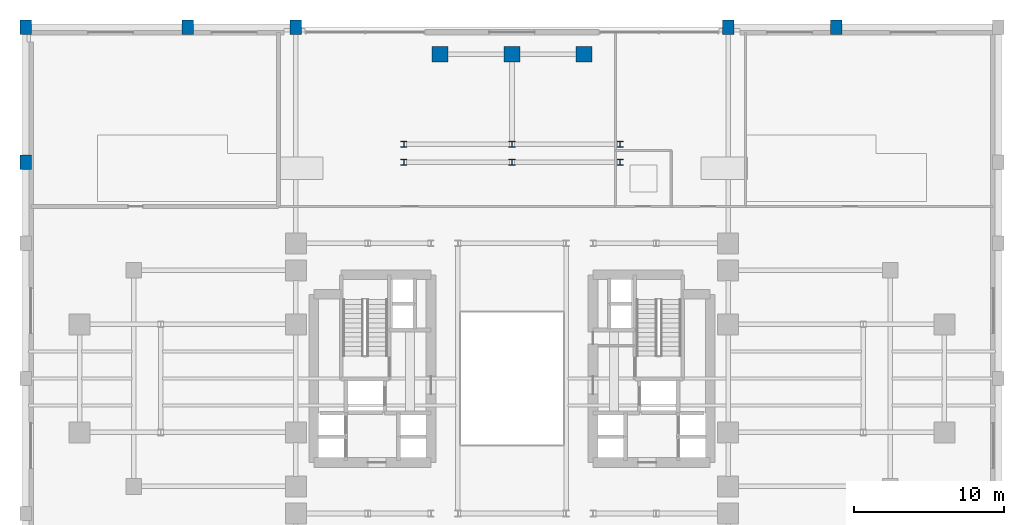
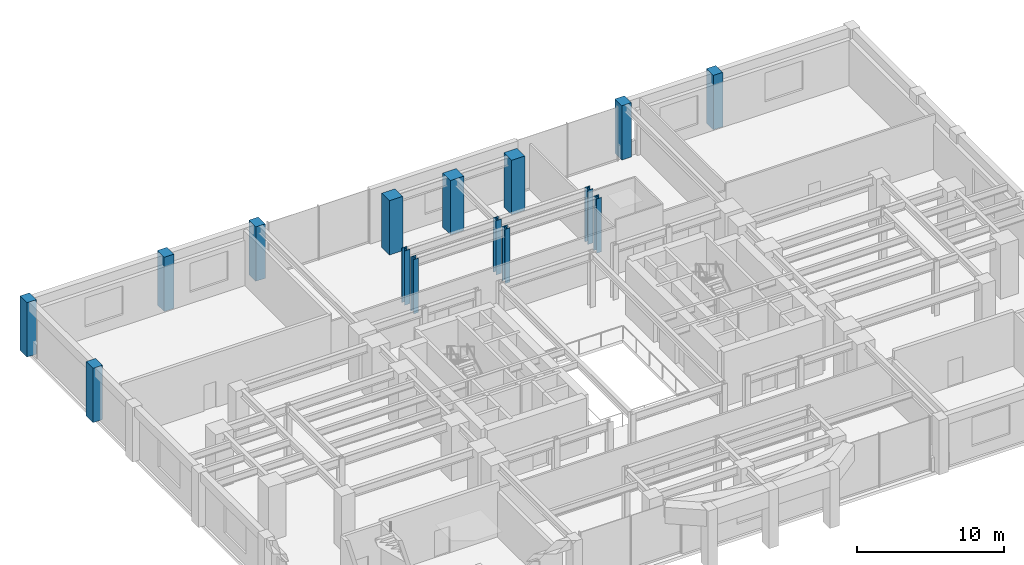
# One storey, part 2 of 14: 15 columns.
"""IFC4 building model written with IfcOpenShell, lengths in metres."""

import ifcopenshell
import ifcopenshell.guid

model = None  # the IFC model being written
_history = None  # IfcOwnerHistory: only IFC2X3 demands one
_inside = {}  # id of a spatial element -> (the spatial element, [elements in it])
_under = {}  # id of a project, library or spatial element -> (it, [spatial elements below it])
_declared = {}  # id of a project -> (the project, [libraries it declares])
_typed = {}  # id of a type object -> (the type object, [elements of that type])
_made_of = {}  # id of a material, layer set ... -> (it, [elements and type objects made of it])


def new_model(schema):
    """Start an empty IFC model of exactly this schema.

    Asked for "IFC4X3", IfcOpenShell would pick the latest addendum, in which some entities
    have other attributes; the version numbers below select the first issue.
    IFC2X3 requires an IfcOwnerHistory on every rooted entity: one is made here for all.
    """
    global model, _history
    if schema == "IFC4X3":
        model = ifcopenshell.file(schema_version=(4, 3, 0, 0))
    else:
        model = ifcopenshell.file(schema=schema)
    _inside.clear()
    _under.clear()
    _declared.clear()
    _typed.clear()
    _made_of.clear()
    _history = None
    if model.schema == "IFC2X3":
        org = make("IfcOrganization", Name="unknown")
        user = make(
            "IfcPersonAndOrganization",
            ThePerson=make("IfcPerson", FamilyName="unknown"),
            TheOrganization=org,
        )
        app = make(
            "IfcApplication",
            ApplicationDeveloper=org,
            Version="unknown",
            ApplicationFullName="unknown",
            ApplicationIdentifier="unknown",
        )
        _history = make(
            "IfcOwnerHistory",
            OwningUser=user,
            OwningApplication=app,
            ChangeAction="ADDED",
            CreationDate=0,
        )
    return model


def make(cls, **values):
    """One entity of the class cls with the attributes given. An attribute that is None is left unset."""
    return model.create_entity(
        cls, **{name: value for name, value in values.items() if value is not None}
    )


def rooted(cls, **values):
    """An entity with a GlobalId (a new one), such as an element, a storey or a relation."""
    return make(cls, GlobalId=ifcopenshell.guid.new(), OwnerHistory=_history, **values)


def si_unit(unit_type, name, prefix=None):
    """IfcSIUnit, for example si_unit("LENGTHUNIT", "METRE", prefix="MILLI")."""
    return make("IfcSIUnit", UnitType=unit_type, Prefix=prefix, Name=name)


def assignment(units):
    """IfcUnitAssignment: the units of a project."""
    return None if units is None else make("IfcUnitAssignment", Units=units)


def point(xyz):
    """IfcCartesianPoint."""
    return None if xyz is None else make("IfcCartesianPoint", Coordinates=xyz)


def direction(xyz):
    """IfcDirection."""
    return None if xyz is None else make("IfcDirection", DirectionRatios=xyz)


def frame(location, z_axis=None, x_axis=None):
    """IfcAxis2Placement3D, a coordinate frame: its origin and axes. An axis left out is left unset."""
    return make(
        "IfcAxis2Placement3D",
        Location=point(location),
        Axis=direction(z_axis),
        RefDirection=direction(x_axis),
    )


def frame_2d(location, x_axis=None):
    """IfcAxis2Placement2D, a coordinate frame in the plane: its origin and x axis."""
    return make(
        "IfcAxis2Placement2D", Location=point(location), RefDirection=direction(x_axis)
    )


def origin():
    """The frame at (0, 0, 0) with its axes left unset."""
    return frame((0.0, 0.0, 0.0))


def origin_2d():
    """The frame at (0, 0) in the plane with its x axis left unset."""
    return frame_2d((0.0, 0.0))


def place(relative_to, where):
    """IfcLocalPlacement: puts the frame where relative to a parent placement (None: the world)."""
    return make(
        "IfcLocalPlacement", PlacementRelTo=relative_to, RelativePlacement=where
    )


def context(
    kind, dimensions, precision=None, world=None, true_north=None, identifier=None
):
    """IfcGeometricRepresentationContext, for example the 3D "Model" context."""
    return make(
        "IfcGeometricRepresentationContext",
        ContextIdentifier=identifier,
        ContextType=kind,
        CoordinateSpaceDimension=dimensions,
        Precision=precision,
        WorldCoordinateSystem=world,
        TrueNorth=true_north,
    )


def subcontext(parent, identifier, kind, view, scale=None):
    """IfcGeometricRepresentationSubContext, for example "Body" below "Model"."""
    return make(
        "IfcGeometricRepresentationSubContext",
        ContextIdentifier=identifier,
        ContextType=kind,
        ParentContext=parent,
        TargetScale=scale,
        TargetView=view,
    )


def project(units=None, contexts=None):
    """IfcProject with its units and contexts."""
    return rooted(
        "IfcProject",
        Name="project",
        RepresentationContexts=contexts,
        UnitsInContext=assignment(units),
    )


def spatial(cls, under=None, at=None, **own):
    """A site, building, storey or space (cls), placed at a placement, below another one or the project."""
    s = rooted(cls, ObjectPlacement=at, **own)
    if under is not None:
        _under.setdefault(under.id(), (under, []))[1].append(s)
    return s


def profile(cls, at=None, kind="AREA", **sizes):
    """A parametric profile (cls). Its sizes go by their IFC names, for example OverallWidth=200.0."""
    return make(cls, ProfileType=kind, Position=at, **sizes)


def rectangle(**sizes):
    """IfcRectangleProfileDef."""
    return profile("IfcRectangleProfileDef", **sizes)


def i_section(**sizes):
    """IfcIShapeProfileDef."""
    return profile("IfcIShapeProfileDef", **sizes)


def extrude(swept, where, along, depth):
    """IfcExtrudedAreaSolid: the profile swept, set in the frame where, extruded along a direction by depth."""
    return make(
        "IfcExtrudedAreaSolid",
        SweptArea=swept,
        Position=where,
        ExtrudedDirection=direction(along),
        Depth=depth,
    )


def shape(context_of_items, identifier, shape_type, items):
    """IfcShapeRepresentation: the items that make up one representation, for example the "Body"."""
    return make(
        "IfcShapeRepresentation",
        ContextOfItems=context_of_items,
        RepresentationIdentifier=identifier,
        RepresentationType=shape_type,
        Items=items,
    )


def source(mapping_origin, context_of_items, identifier, shape_type, items):
    """IfcRepresentationMap: a shape defined once, which mapped items show again and again."""
    return make(
        "IfcRepresentationMap",
        MappingOrigin=mapping_origin,
        MappedRepresentation=shape(context_of_items, identifier, shape_type, items),
    )


def transform(
    local_origin,
    x_axis=None,
    y_axis=None,
    z_axis=None,
    scale=None,
    scale2=None,
    scale3=None,
    uniform=True,
):
    """IfcCartesianTransformationOperator3D, or its non-uniform kind. x_axis, y_axis, z_axis: its Axis1, 2, 3."""
    if uniform:
        return make(
            "IfcCartesianTransformationOperator3D",
            Axis1=direction(x_axis),
            Axis2=direction(y_axis),
            LocalOrigin=point(local_origin),
            Scale=scale,
            Axis3=direction(z_axis),
        )
    return make(
        "IfcCartesianTransformationOperator3DnonUniform",
        Axis1=direction(x_axis),
        Axis2=direction(y_axis),
        LocalOrigin=point(local_origin),
        Scale=scale,
        Axis3=direction(z_axis),
        Scale2=scale2,
        Scale3=scale3,
    )


def mapped(mapping_source, mapping_target):
    """IfcMappedItem: shows the shape of a source again, moved by a transform."""
    return make(
        "IfcMappedItem", MappingSource=mapping_source, MappingTarget=mapping_target
    )


def material(Name=None, Category=None):
    """IfcMaterial."""
    return make("IfcMaterial", Name=Name, Category=Category)


def material_profile(
    of_material, cross_section, Name=None, Category=None, Priority=None
):
    """IfcMaterialProfile: a cross section and its material."""
    return make(
        "IfcMaterialProfile",
        Name=Name,
        Material=of_material,
        Profile=cross_section,
        Priority=Priority,
        Category=Category,
    )


def profile_set(profiles, Name=None, composite=None):
    """IfcMaterialProfileSet."""
    return make(
        "IfcMaterialProfileSet",
        Name=Name,
        MaterialProfiles=profiles,
        CompositeProfile=composite,
    )


def made_of(thing, what):
    """Note that an element or type object is made of a material, layer set ...; save() writes the relation."""
    if what is not None:
        _made_of.setdefault(what.id(), (what, []))[1].append(thing)
    return thing


def type_object(cls, material=None, **own):
    """A type object (cls), such as IfcWallType, which elements share."""
    return made_of(rooted(cls, **own), material)


def element(
    cls,
    number,
    at=None,
    inside=None,
    cuts=None,
    type_object=None,
    material=None,
    context=None,
    identifier="Body",
    shape_type=None,
    held_by="IfcProductDefinitionShape",
    body=None,
    shapes=None,
    **own,
):
    """One element of the class cls, such as IfcWall. Its Tag is "e" and its number.

    at: its placement. inside: the storey or other place that contains it. cuts: it is an
    opening in that element (IfcRelVoidsElement). A single representation is given by context,
    identifier, shape_type and body (its items); several are given by shapes. held_by: the class
    of the entity that holds the representations. save() writes the other relations.
    """
    e = rooted(cls, Tag="e%d" % number, ObjectPlacement=at, **own)
    if body is not None:
        shapes = [shape(context, identifier, shape_type, body)]
    if shapes is not None:
        e.Representation = make(held_by, Representations=shapes)
    if inside is not None:
        _inside.setdefault(inside.id(), (inside, []))[1].append(e)
    if cuts is not None:
        rooted(
            "IfcRelVoidsElement", RelatingBuildingElement=cuts, RelatedOpeningElement=e
        )
    if type_object is not None:
        _typed.setdefault(type_object.id(), (type_object, []))[1].append(e)
    return made_of(e, material)


def aggregate(whole, parts):
    """IfcRelAggregates: a whole, such as a stair, and the parts it consists of."""
    return rooted("IfcRelAggregates", RelatingObject=whole, RelatedObjects=parts)


def save(model, path):
    """Write the relations noted so far, then the file.

    IfcRelAggregates (storeys below a building ...), IfcRelContainedInSpatialStructure (elements
    in a storey), IfcRelDefinesByType, IfcRelAssociatesMaterial and IfcRelDeclares: one each for
    every whole, place, type object, material and project.
    """
    for whole, parts in _under.values():
        aggregate(whole, parts)
    for where, things in _inside.values():
        rooted(
            "IfcRelContainedInSpatialStructure",
            RelatedElements=things,
            RelatingStructure=where,
        )
    for kind, things in _typed.values():
        rooted("IfcRelDefinesByType", RelatedObjects=things, RelatingType=kind)
    for what, things in _made_of.values():
        rooted("IfcRelAssociatesMaterial", RelatedObjects=things, RelatingMaterial=what)
    for by, libraries in _declared.values():
        rooted("IfcRelDeclares", RelatingContext=by, RelatedDefinitions=libraries)
    model.write(path)


model = new_model("IFC4")

# Units and contexts
model_context = context("Model", 3, precision=1e-05, world=origin(), true_north=direction((0.0, 1.0)))
body_context = subcontext(model_context, "Body", "Model", "MODEL_VIEW")
ifc_project = project(units=[si_unit("LENGTHUNIT", "METRE"), si_unit("AREAUNIT", "SQUARE_METRE"), si_unit("VOLUMEUNIT", "CUBIC_METRE"), si_unit("PLANEANGLEUNIT", "RADIAN"), si_unit("MASSUNIT", "GRAM", prefix="KILO")], contexts=[model_context])

# Site, building, storey
site_placement = place(None, origin())
site = spatial("IfcSite", under=ifc_project, at=site_placement, CompositionType="ELEMENT")
building_placement = place(site_placement, origin())
building = spatial("IfcBuilding", under=site, at=building_placement, Name="Keilestroom Media Tower", CompositionType="ELEMENT")
storey_placement = place(building_placement, frame((0.0, 0.0, 5.39990234375)))
storey = spatial("IfcBuildingStorey", under=building, at=storey_placement, Name="L01", CompositionType="ELEMENT", Elevation=5.39990234375)

# Columns
ifc_material_1 = material(Name="Precast concrete C40/50", Category="concrete")
ifc_material_profile_1 = material_profile(ifc_material_1, rectangle(XDim=0.75, YDim=0.949951171875, at=origin_2d()), Name="PC 950x750")
ifc_profile_set_1 = profile_set([ifc_material_profile_1], Name="Precast concrete C40/50")
column_type_1 = type_object("IfcColumnType", Name="Structural-Column-PC-950x750", PredefinedType="COLUMN", material=ifc_profile_set_1)
shared_shape_1 = source(origin(), body_context, "Body", "SweptSolid", [
    extrude(rectangle(XDim=0.75, YDim=0.949951171875, at=origin_2d()), origin(), (0.0, 0.0, 1.0), 4.52001953125),
])
for number, where, z_axis, x_axis, name in (
    (1, (-32.39990234375, 14.39990234375, 0.0), (0.0, 0.0, 1.0), (1.0, 0.0, 0.0), "L01 Column PC-1 (-32.4,+14.4)"),
    (2, (-32.39990234375, 23.39990234375, 0.0), (0.0, 0.0, 1.0), (1.0, 0.0, 0.0), "L01 Column PC-1 (-32.4,+23.4)"),
    (3, (-21.60009765625, 23.39990234375, 0.0), (0.0, 0.0, 1.0), (1.0, 0.0, 0.0), "L01 Column PC-1 (-21.6,+23.4)"),
    (4, (-14.39990234375, 23.39990234375, 0.0), (0.0, 0.0, 1.0), (1.0, 0.0, 0.0), "L01 Column PC-1 (-14.4,+23.4)"),
    (5, (14.39990234375, 23.39990234375, 0.0), (0.0, 0.0, 1.0), (1.0, 0.0, 0.0), "L01 Column PC-1 (+14.4,+23.4)"),
    (6, (21.60009765625, 23.39990234375, 0.0), (0.0, 0.0, 1.0), (1.0, 0.0, 0.0), "L01 Column PC-1 (+21.6,+23.4)"),
):
    element("IfcColumn", number, at=place(storey_placement, frame(where, z_axis=z_axis, x_axis=x_axis)), inside=storey, type_object=column_type_1, Name=name, PredefinedType="COLUMN", context=body_context, shape_type="MappedRepresentation", body=[
        mapped(shared_shape_1, transform((0.0, 0.0, 0.0), x_axis=(1.0, 0.0, 0.0), y_axis=(0.0, 1.0, 0.0), z_axis=(0.0, 0.0, 1.0), scale=1.0)),
    ])
ifc_material_2 = material(Name="Concrete C55/67", Category="concrete")
ifc_material_profile_2 = material_profile(ifc_material_2, rectangle(XDim=1.050048828125, YDim=1.050048828125, at=origin_2d()), Name="RC 1050x1050")
ifc_profile_set_2 = profile_set([ifc_material_profile_2], Name="Concrete C55/67")
column_type_2 = type_object("IfcColumnType", Name="Structural-Column-RC-1050x1050", PredefinedType="COLUMN", material=ifc_profile_set_2)
shared_shape_2 = source(origin(), body_context, "Body", "SweptSolid", [
    extrude(rectangle(XDim=1.050048828125, YDim=1.050048828125, at=origin_2d()), origin(), (0.0, 0.0, 1.0), 4.52001953125),
])
for number, where, z_axis, x_axis, name in (
    (7, (-4.800048828125, 21.60009765625, 0.0), (0.0, 0.0, 1.0), (1.0, 0.0, 0.0), "L01 Column MC-3 (-4.8,+21.6)"),
    (8, (0.0, 21.60009765625, 0.0), (0.0, 0.0, 1.0), (1.0, 0.0, 0.0), "L01 Column MC-3 (+0.0,+21.6)"),
    (9, (4.800048828125, 21.60009765625, 0.0), (0.0, 0.0, 1.0), (1.0, 0.0, 0.0), "L01 Column MC-3 (+4.8,+21.6)"),
):
    element("IfcColumn", number, at=place(storey_placement, frame(where, z_axis=z_axis, x_axis=x_axis)), inside=storey, type_object=column_type_2, Name=name, PredefinedType="COLUMN", context=body_context, shape_type="MappedRepresentation", body=[
        mapped(shared_shape_2, transform((0.0, 0.0, 0.0), x_axis=(1.0, 0.0, 0.0), y_axis=(0.0, 1.0, 0.0), z_axis=(0.0, 0.0, 1.0), scale=1.0)),
    ])
ifc_material_3 = material(Name="Steel S460", Category="steel")
ifc_material_profile_3 = material_profile(ifc_material_3, i_section(OverallWidth=0.406005859375, OverallDepth=0.416015625, WebThickness=0.02392578125, FlangeThickness=0.0390625, at=origin_2d()), Name="HD 400x382")
ifc_profile_set_3 = profile_set([ifc_material_profile_3], Name="Steel S460")
column_type_3 = type_object("IfcColumnType", Name="Structural-Column-HD-400x382", PredefinedType="COLUMN", material=ifc_profile_set_3)
shared_shape_3 = source(origin(), body_context, "Body", "SweptSolid", [
    extrude(i_section(OverallWidth=0.406005859375, OverallDepth=0.416015625, WebThickness=0.02392578125, FlangeThickness=0.0390625, at=origin_2d()), origin(), (0.0, 0.0, 1.0), 4.52001953125),
])
for number, where, z_axis, x_axis, name in (
    (10, (-7.199951171875, 14.39990234375, 0.0), (0.0, 0.0, 1.0), (1.0, 0.0, 0.0), "L01 Column SC-1 (-7.2,+14.4)"),
    (11, (-7.199951171875, 15.60009765625, 0.0), (0.0, 0.0, 1.0), (1.0, 0.0, 0.0), "L01 Column SC-1 (-7.2,+15.6)"),
    (12, (0.0, 14.39990234375, 0.0), (0.0, 0.0, 1.0), (1.0, 0.0, 0.0), "L01 Column SC-1 (+0.0,+14.4)"),
    (13, (0.0, 15.60009765625, 0.0), (0.0, 0.0, 1.0), (1.0, 0.0, 0.0), "L01 Column SC-1 (+0.0,+15.6)"),
    (14, (7.199951171875, 14.39990234375, 0.0), (0.0, 0.0, 1.0), (1.0, 0.0, 0.0), "L01 Column SC-1 (+7.2,+14.4)"),
    (15, (7.199951171875, 15.60009765625, 0.0), (0.0, 0.0, 1.0), (1.0, 0.0, 0.0), "L01 Column SC-1 (+7.2,+15.6)"),
):
    element("IfcColumn", number, at=place(storey_placement, frame(where, z_axis=z_axis, x_axis=x_axis)), inside=storey, type_object=column_type_3, Name=name, PredefinedType="COLUMN", context=body_context, shape_type="MappedRepresentation", body=[
        mapped(shared_shape_3, transform((0.0, 0.0, 0.0), x_axis=(1.0, 0.0, 0.0), y_axis=(0.0, 1.0, 0.0), z_axis=(0.0, 0.0, 1.0), scale=1.0)),
    ])

save(model, "model.ifc")
